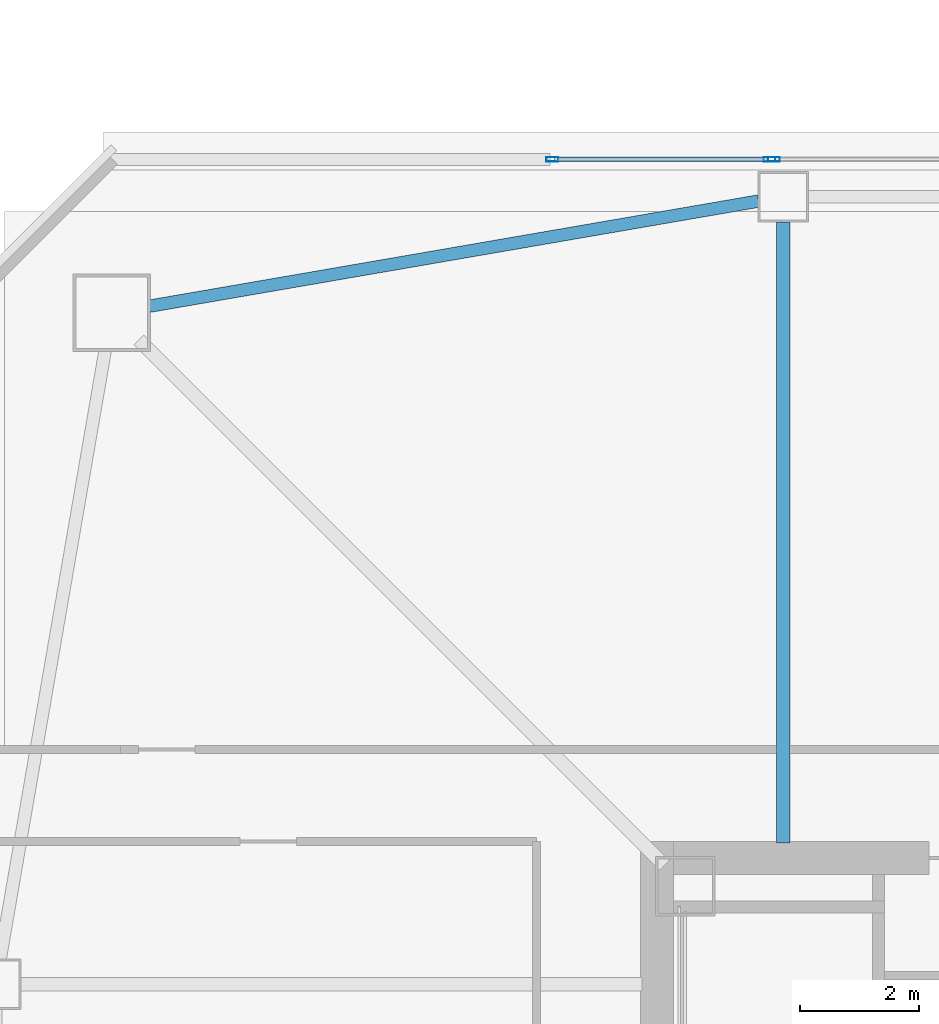
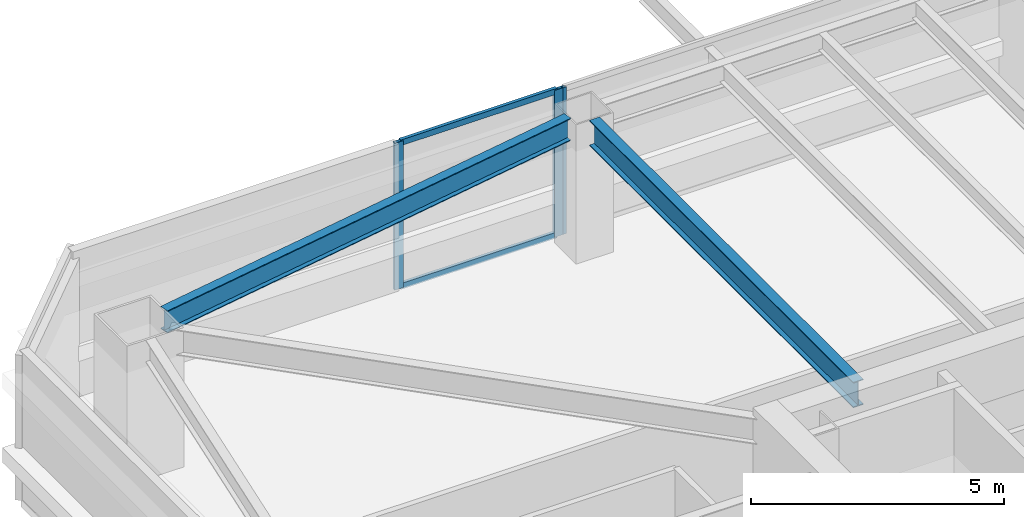
# One storey, part 13 of 40: 5 members, 2 beams, 2 elements without a shape of their own.
"""IFC4 building model written with IfcOpenShell, lengths in metres."""

from ifc_helpers import new_model, si_unit, direction, frame, origin, origin_2d, place, context, subcontext, project, spatial, hollow_rectangle, i_section, extrude, material, material_profile, profile_set, type_object, element, aggregate, save


model = new_model("IFC4")

# Units and contexts
model_context = context("Model", 3, precision=1e-05, world=origin(), true_north=direction((0.0, 1.0)))
body_context = subcontext(model_context, "Body", "Model", "MODEL_VIEW")
ifc_project = project(units=[si_unit("LENGTHUNIT", "METRE"), si_unit("AREAUNIT", "SQUARE_METRE"), si_unit("VOLUMEUNIT", "CUBIC_METRE"), si_unit("PLANEANGLEUNIT", "RADIAN"), si_unit("MASSUNIT", "GRAM", prefix="KILO")], contexts=[model_context])

# Site, building, storey
site_placement = place(None, origin())
site = spatial("IfcSite", under=ifc_project, at=site_placement, CompositionType="ELEMENT")
building_placement = place(site_placement, origin())
building = spatial("IfcBuilding", under=site, at=building_placement, Name="Tashvorn Skyway Center", CompositionType="ELEMENT")
storey_placement = place(building_placement, frame((0.0, 0.0, 142.800048828125)))
storey = spatial("IfcBuildingStorey", under=building, at=storey_placement, Name="L38", CompositionType="ELEMENT", Elevation=142.800048828125)

# Beams
ifc_material_1 = material(Name="Steel ASTM A992 Grade 50", Category="steel")
ifc_material_profile_1 = material_profile(ifc_material_1, i_section(OverallWidth=0.22998046875, OverallDepth=0.616943359375, WebThickness=0.01318359375, FlangeThickness=0.022216796875, at=origin_2d()), Name="W24X94")
ifc_profile_set_1 = profile_set([ifc_material_profile_1], Name="Steel ASTM A992 Grade 50")
beam_type_1 = type_object("IfcBeamType", Name="BM-BEAM-W24X94", PredefinedType="BEAM", material=ifc_profile_set_1)
beam_1_placement = place(storey_placement, frame((36.60009765625, 50.22998046875, 3.0615234375), z_axis=(0.0, -1.0, 0.0), x_axis=(1.0, 0.0, 0.0)))
element("IfcBeam", 1, at=beam_1_placement, inside=storey, type_object=beam_type_1, Name="Tower 1 L38 Primary Floor Girder FC-N2", PredefinedType="BEAM", context=body_context, shape_type="SweptSolid", body=[
    extrude(i_section(OverallWidth=0.22998046875, OverallDepth=0.616943359375, WebThickness=0.01318359375, FlangeThickness=0.022216796875, at=origin_2d()), origin(), (0.0, 0.0, 1.0), 10.449951171875),
])
ifc_material_profile_2 = material_profile(ifc_material_1, i_section(OverallWidth=0.2109375, OverallDepth=0.5390625, WebThickness=0.01171875, FlangeThickness=0.018798828125, at=origin_2d()), Name="W21X73")
ifc_profile_set_2 = profile_set([ifc_material_profile_2], Name="Steel ASTM A992 Grade 50")
beam_type_2 = type_object("IfcBeamType", Name="BM-SPANDREL-W21X73", PredefinedType="SPANDREL", material=ifc_profile_set_2)
beam_2_placement = place(storey_placement, frame((36.18603515625, 50.57861328125, 3.100341796875), z_axis=(-0.985432458462, -0.170067250846, 0.0), x_axis=(0.170067250846, -0.985432458462, 0.0)))
element("IfcBeam", 2, at=beam_2_placement, inside=storey, type_object=beam_type_2, Name="Tower 1 L38 Spandrel Beam 09", PredefinedType="SPANDREL", context=body_context, shape_type="SweptSolid", body=[
    extrude(i_section(OverallWidth=0.2109375, OverallDepth=0.5390625, WebThickness=0.01171875, FlangeThickness=0.018798828125, at=origin_2d()), origin(), (0.0, 0.0, 1.0), 10.402099609375),
])

# Curtain wall, members
ifc_material_2 = material(Name="Thermally broken bronze-anodized aluminium 6063-T6", Category="aluminium")
curtain_wall_type = type_object("IfcCurtainWallType", Name="CW-CW-Z3", PredefinedType="NOTDEFINED", material=ifc_material_2)
curtain_wall_1_placement = place(storey_placement, origin())
curtain_wall_1 = element("IfcCurtainWall", 3, at=curtain_wall_1_placement, inside=storey, type_object=curtain_wall_type, Name="Tower 1 L38 North Unitised Curtain Wall Glazing Group 1", PredefinedType="NOTDEFINED")
ifc_material_profile_3 = material_profile(ifc_material_2, hollow_rectangle(XDim=0.074951171875, YDim=0.199951171875, WallThickness=0.00439453125, at=origin_2d()), Name="ALU-MULL-75x200")
ifc_profile_set_3 = profile_set([ifc_material_profile_3], Name="Thermally broken bronze-anodized aluminium 6063-T6")
member_type_1 = type_object("IfcMemberType", Name="CWM-CW-Z3", PredefinedType="MULLION", material=ifc_profile_set_3)
member_1_placement = place(storey_placement, frame((32.71533203125, 51.280029296875, 0.0), z_axis=(0.0, 0.0, 1.0), x_axis=(0.0, 1.0, 0.0)))
member_1 = element("IfcMember", 4, at=member_1_placement, type_object=member_type_1, Name="CW-Z3 mullion 1", PredefinedType="MULLION", context=body_context, shape_type="SweptSolid", body=[
    extrude(hollow_rectangle(XDim=0.074951171875, YDim=0.199951171875, WallThickness=0.00439453125, at=origin_2d()), origin(), (0.0, 0.0, 1.0), 3.550048828125),
])
member_2_placement = place(storey_placement, frame((36.369140625, 51.280029296875, 0.0), z_axis=(0.0, 0.0, 1.0), x_axis=(0.0, 1.0, 0.0)))
member_2 = element("IfcMember", 5, at=member_2_placement, type_object=member_type_1, Name="CW-Z3 mullion 2", PredefinedType="MULLION", context=body_context, shape_type="SweptSolid", body=[
    extrude(hollow_rectangle(XDim=0.074951171875, YDim=0.199951171875, WallThickness=0.00439453125, at=origin_2d()), origin(), (0.0, 0.0, 1.0), 3.550048828125),
])

# Curtain wall, member
curtain_wall_2_placement = place(storey_placement, origin())
curtain_wall_2 = element("IfcCurtainWall", 6, at=curtain_wall_2_placement, inside=storey, type_object=curtain_wall_type, Name="Tower 1 L38 North Unitised Curtain Wall Glazing Group 2", PredefinedType="NOTDEFINED")
member_3_placement = place(storey_placement, frame((36.444091796875, 51.280029296875, 0.0), z_axis=(0.0, 0.0, 1.0), x_axis=(0.0, 1.0, 0.0)))
member_3 = element("IfcMember", 7, at=member_3_placement, type_object=member_type_1, Name="CW-Z3 mullion 1", PredefinedType="MULLION", context=body_context, shape_type="SweptSolid", body=[
    extrude(hollow_rectangle(XDim=0.074951171875, YDim=0.199951171875, WallThickness=0.00439453125, at=origin_2d()), origin(), (0.0, 0.0, 1.0), 3.550048828125),
])
aggregate(curtain_wall_2, [member_3])

# Member
ifc_material_profile_4 = material_profile(ifc_material_2, hollow_rectangle(XDim=0.074951171875, YDim=0.139892578125, WallThickness=0.004150390625, at=origin_2d()), Name="ALU-TRAN-75x140")
ifc_profile_set_4 = profile_set([ifc_material_profile_4], Name="Thermally broken bronze-anodized aluminium 6063-T6")
member_type_2 = type_object("IfcMemberType", Name="CWT-CW-Z3", PredefinedType="USERDEFINED", material=ifc_profile_set_4)
member_4_placement = place(storey_placement, frame((32.752685546875, 51.280029296875, 0.037353515625), z_axis=(1.0, 0.0, 0.0), x_axis=(0.0, 1.0, 0.0)))
member_4 = element("IfcMember", 8, at=member_4_placement, type_object=member_type_2, Name="CW-Z3 transom 1.1", ObjectType="TRANSOM", PredefinedType="USERDEFINED", context=body_context, shape_type="SweptSolid", body=[
    extrude(hollow_rectangle(XDim=0.074951171875, YDim=0.139892578125, WallThickness=0.004150390625, at=origin_2d()), origin(), (0.0, 0.0, 1.0), 3.5791015625),
])

member_5_placement = place(storey_placement, frame((32.752685546875, 51.280029296875, 3.512451171875), z_axis=(1.0, 0.0, 0.0), x_axis=(0.0, 1.0, 0.0)))
member_5 = element("IfcMember", 9, at=member_5_placement, type_object=member_type_2, Name="CW-Z3 transom 1.2", ObjectType="TRANSOM", PredefinedType="USERDEFINED", context=body_context, shape_type="SweptSolid", body=[
    extrude(hollow_rectangle(XDim=0.074951171875, YDim=0.139892578125, WallThickness=0.004150390625, at=origin_2d()), origin(), (0.0, 0.0, 1.0), 3.5791015625),
])

aggregate(curtain_wall_1, [member_1, member_2, member_4, member_5])

save(model, "model.ifc")
